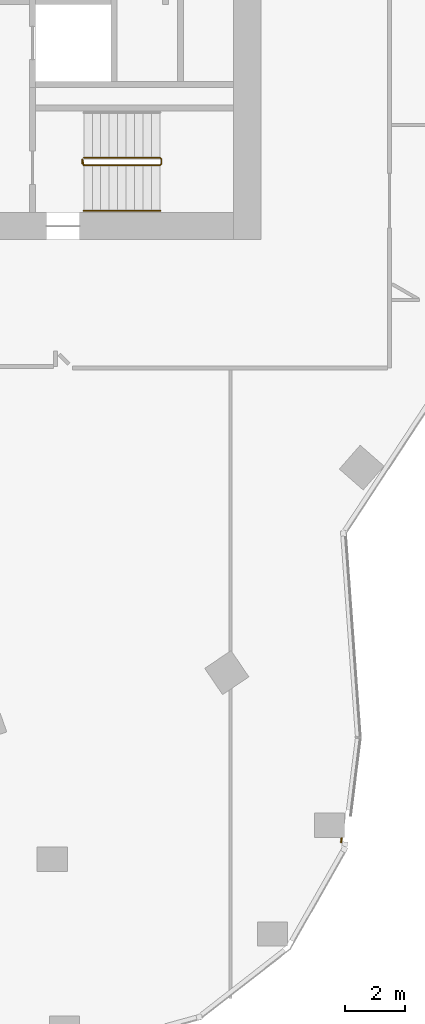
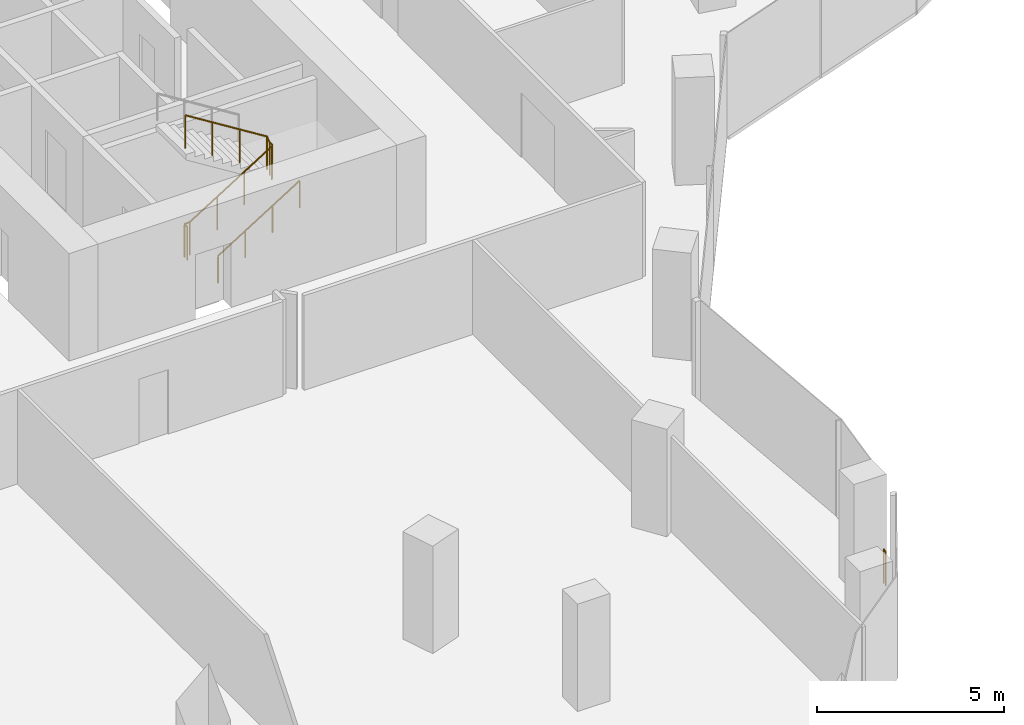
# One storey, part 23 of 24: 3 railings.
"""IFC4 building model written with IfcOpenShell, lengths in metres."""

from ifc_helpers import new_model, si_unit, direction, frame, origin, origin_2d, place, context, subcontext, project, spatial, circle, extrude, material, type_object, element, save


model = new_model("IFC4")

# Units and contexts
model_context = context("Model", 3, precision=1e-05, world=origin(), true_north=direction((0.0, 1.0)))
body_context = subcontext(model_context, "Body", "Model", "MODEL_VIEW")
ifc_project = project(units=[si_unit("LENGTHUNIT", "METRE"), si_unit("AREAUNIT", "SQUARE_METRE"), si_unit("VOLUMEUNIT", "CUBIC_METRE"), si_unit("PLANEANGLEUNIT", "RADIAN"), si_unit("MASSUNIT", "GRAM", prefix="KILO")], contexts=[model_context])

# Site, building, storey
site_placement = place(None, origin())
site = spatial("IfcSite", under=ifc_project, at=site_placement, CompositionType="ELEMENT")
building_placement = place(site_placement, origin())
building = spatial("IfcBuilding", under=site, at=building_placement, Name="Orlundy Tower", CompositionType="ELEMENT")
storey_placement = place(building_placement, frame((0.0, 0.0, 242.5)))
storey = spatial("IfcBuildingStorey", under=building, at=storey_placement, Name="L64", CompositionType="ELEMENT", Elevation=242.5)

# Railings
ifc_material_1 = material(Name="Steel balustrade", Category="steel")
railing_type_1 = type_object("IfcRailingType", Name="Stair Guard 1100", PredefinedType="GUARDRAIL", material=ifc_material_1)
railing_1_placement = place(storey_placement, frame((13.090087890625, -9.5, 0.0)))
element("IfcRailing", 1, at=railing_1_placement, inside=storey, type_object=railing_type_1, Name="L64 ST-E1 stair guard 1", PredefinedType="GUARDRAIL", context=body_context, shape_type="SweptSolid", body=[
    extrude(circle(Radius=0.02392578125, at=origin_2d()), frame((0.0, 0.0, 1.076171875), z_axis=(0.0, 1.0, 0.0), x_axis=(-1.0, 0.0, 0.0)), (0.0, 0.0, 1.0), 0.14990234375),
    extrude(circle(Radius=0.02392578125, at=origin_2d()), frame((0.0, 0.14990234375, 1.076171875), z_axis=(0.18420542264, -0.739530593833, 0.647427882513), x_axis=(0.970351222016, 0.241699205484, 0.0)), (0.0, 0.0, 1.0), 0.270263671875),
    extrude(circle(Radius=0.02392578125, at=origin_2d()), frame((0.0498046875, -0.050048828125, 1.2509765625), z_axis=(0.848007534815, 0.0, 0.529984170421), x_axis=(0.0, 1.0, 0.0)), (0.0, 0.0, 1.0), 2.9716796875),
    extrude(circle(Radius=0.02392578125, at=origin_2d()), frame((2.56982421875, -0.050048828125, 2.826171875), z_axis=(0.707106781187, 0.707106781187, 0.0), x_axis=(-0.707106781187, 0.707106781187, 0.0)), (0.0, 0.0, 1.0), 0.07080078125),
    extrude(circle(Radius=0.02392578125, at=origin_2d()), frame((2.619873046875, 0.0, 2.826171875), z_axis=(0.0, 1.0, 0.0), x_axis=(-1.0, 0.0, 0.0)), (0.0, 0.0, 1.0), 0.14990234375),
    extrude(circle(Radius=0.02392578125, at=origin_2d()), frame((2.619873046875, 0.14990234375, 2.826171875), z_axis=(-0.265065253269, 0.265065253269, 0.927081885822), x_axis=(-0.707106781187, -0.707106781187, 0.0)), (0.0, 0.0, 1.0), 0.188720703125),
    extrude(circle(Radius=0.02392578125, at=origin_2d()), frame((2.56982421875, 0.199951171875, 3.0009765625), z_axis=(-0.848007534815, 0.0, 0.529984170421), x_axis=(0.0, -1.0, 0.0)), (0.0, 0.0, 1.0), 2.9716796875),
    extrude(circle(Radius=0.02099609375, at=origin_2d()), origin(), (0.0, 0.0, 1.0), 1.052001953125),
    extrude(circle(Radius=0.02099609375, at=origin_2d()), frame((0.0, 0.14990234375, 0.0)), (0.0, 0.0, 1.0), 1.052001953125),
    extrude(circle(Radius=0.02099609375, at=origin_2d()), frame((0.0498046875, -0.050048828125, 0.175048828125)), (0.0, 0.0, 1.0), 1.052001953125),
    extrude(circle(Radius=0.02099609375, at=origin_2d()), frame((0.889892578125, -0.050048828125, 0.699951171875)), (0.0, 0.0, 1.0), 1.052001953125),
    extrude(circle(Radius=0.02099609375, at=origin_2d()), frame((1.729736328125, -0.050048828125, 1.22509765625)), (0.0, 0.0, 1.0), 1.052001953125),
    extrude(circle(Radius=0.02099609375, at=origin_2d()), frame((2.56982421875, -0.050048828125, 1.75)), (0.0, 0.0, 1.0), 1.052001953125),
    extrude(circle(Radius=0.02099609375, at=origin_2d()), frame((2.619873046875, 0.0, 1.75)), (0.0, 0.0, 1.0), 1.052001953125),
    extrude(circle(Radius=0.02099609375, at=origin_2d()), frame((2.619873046875, 0.14990234375, 1.75)), (0.0, 0.0, 1.0), 1.052001953125),
    extrude(circle(Radius=0.02099609375, at=origin_2d()), frame((2.56982421875, 0.199951171875, 1.925048828125)), (0.0, 0.0, 1.0), 1.052001953125),
    extrude(circle(Radius=0.02099609375, at=origin_2d()), frame((1.729736328125, 0.199951171875, 2.449951171875)), (0.0, 0.0, 1.0), 1.052001953125),
    extrude(circle(Radius=0.02099609375, at=origin_2d()), frame((0.889892578125, 0.199951171875, 2.97509765625)), (0.0, 0.0, 1.0), 1.052001953125),
    extrude(circle(Radius=0.02099609375, at=origin_2d()), frame((0.0498046875, 0.199951171875, 3.5)), (0.0, 0.0, 1.0), 1.052001953125),
])
ifc_material_2 = material(Name="Steel handrail", Category="steel")
railing_type_2 = type_object("IfcRailingType", Name="Stair Handrail 900", PredefinedType="HANDRAIL", material=ifc_material_2)
railing_2_placement = place(storey_placement, frame((13.139892578125, -11.050048828125, 0.175048828125)))
element("IfcRailing", 2, at=railing_2_placement, inside=storey, type_object=railing_type_2, Name="L64 ST-E1 stair handrail 1", PredefinedType="HANDRAIL", context=body_context, shape_type="SweptSolid", body=[
    extrude(circle(Radius=0.02392578125, at=origin_2d()), frame((0.0, 0.0, 0.8759765625), z_axis=(0.848007534815, 0.0, 0.529984170421), x_axis=(0.0, 1.0, 0.0)), (0.0, 0.0, 1.0), 2.9716796875),
    extrude(circle(Radius=0.02099609375, at=origin_2d()), origin(), (0.0, 0.0, 1.0), 0.851806640625),
    extrude(circle(Radius=0.02099609375, at=origin_2d()), frame((0.840087890625, 0.0, 0.52490234375)), (0.0, 0.0, 1.0), 0.851806640625),
    extrude(circle(Radius=0.02099609375, at=origin_2d()), frame((1.679931640625, 0.0, 1.050048828125)), (0.0, 0.0, 1.0), 0.851806640625),
    extrude(circle(Radius=0.02099609375, at=origin_2d()), frame((2.52001953125, 0.0, 1.574951171875)), (0.0, 0.0, 1.0), 0.851806640625),
])
ifc_material_3 = material(Name="Stainless steel bronze finish", Category="steel")
railing_type_3 = type_object("IfcRailingType", Name="TG1 terrace guard", PredefinedType="GUARDRAIL", material=ifc_material_3)
railing_3_placement = place(storey_placement, frame((21.67138671875, -31.81005859375, 0.0)))
element("IfcRailing", 3, at=railing_3_placement, inside=storey, type_object=railing_type_3, Name="Guard TG-L64-E01", PredefinedType="GUARDRAIL", context=body_context, shape_type="SweptSolid", body=[
    extrude(circle(Radius=0.02490234375, at=origin_2d()), frame((0.0, 0.0, 1.09521484375), z_axis=(-0.122459893212, -0.992473462897, 0.0), x_axis=(0.992473462897, -0.122459893212, 0.0)), (0.0, 0.0, 1.0), 0.133544921875),
    extrude(circle(Radius=0.02001953125, at=origin_2d()), origin(), (0.0, 0.0, 1.0), 1.070068359375),
    extrude(circle(Radius=0.02001953125, at=origin_2d()), frame((-0.016357421875, -0.132568359375, 0.0)), (0.0, 0.0, 1.0), 1.070068359375),
])

save(model, "model.ifc")
